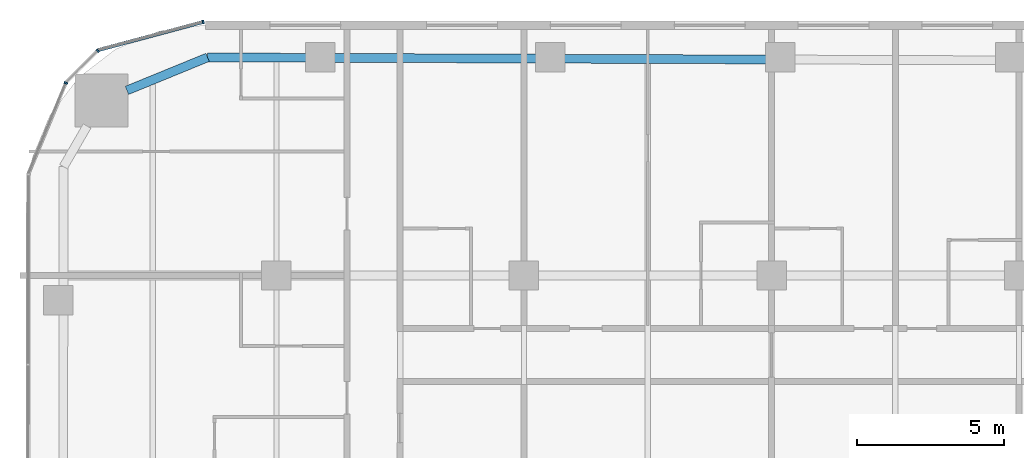
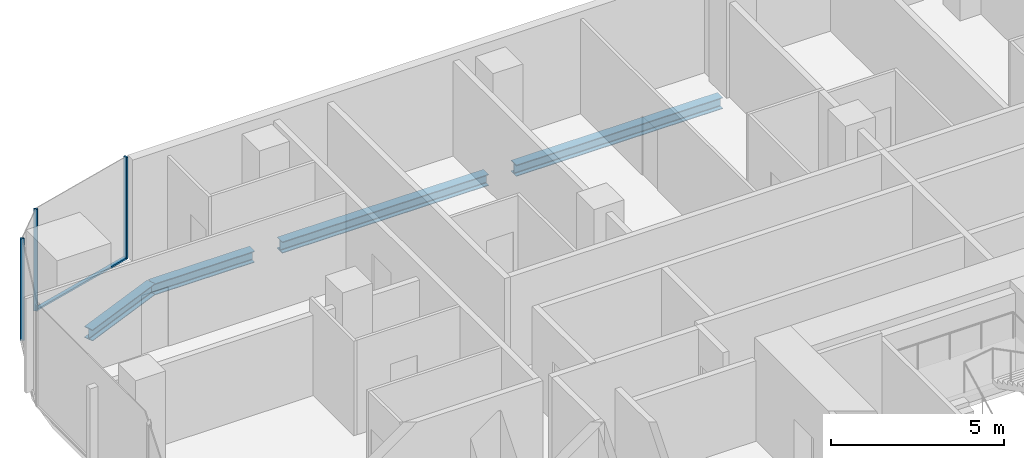
# One storey, part 11 of 27: 4 beams, 4 members, 3 elements without a shape of their own.
"""IFC4 building model written with IfcOpenShell, lengths in metres."""

from ifc_helpers import new_model, si_unit, direction, frame, origin, origin_2d, place, context, subcontext, project, spatial, rectangle, i_section, extrude, material, layer, layer_set, material_profile, profile_set, type_object, element, aggregate, save


model = new_model("IFC4")

# Units and contexts
model_context = context("Model", 3, precision=1e-05, world=origin(), true_north=direction((0.0, 1.0)))
body_context = subcontext(model_context, "Body", "Model", "MODEL_VIEW")
ifc_project = project(units=[si_unit("LENGTHUNIT", "METRE"), si_unit("AREAUNIT", "SQUARE_METRE"), si_unit("VOLUMEUNIT", "CUBIC_METRE"), si_unit("PLANEANGLEUNIT", "RADIAN"), si_unit("MASSUNIT", "GRAM", prefix="KILO")], contexts=[model_context])

# Site, building, storey
site_placement = place(None, origin())
site = spatial("IfcSite", under=ifc_project, at=site_placement, CompositionType="ELEMENT")
building_placement = place(site_placement, origin())
building = spatial("IfcBuilding", under=site, at=building_placement, Name="Marenta Gate Hotel Tower", CompositionType="ELEMENT")
storey_placement = place(building_placement, frame((0.0, 0.0, 36.5)))
storey = spatial("IfcBuildingStorey", under=building, at=storey_placement, Name="L06", CompositionType="ELEMENT", Elevation=36.5)

# Beams
ifc_material_1 = material(Name="Steel S355", Category="steel")
ifc_material_profile_1 = material_profile(ifc_material_1, i_section(OverallWidth=0.300048828125, OverallDepth=0.39990234375, WebThickness=0.013427734375, FlangeThickness=0.02392578125, FilletRadius=0.027099609375, at=origin_2d()), Name="HEB 400")
ifc_profile_set_1 = profile_set([ifc_material_profile_1], Name="Steel S355")
beam_type = type_object("IfcBeamType", Name="Edge beam HEB 400", PredefinedType="SPANDREL", material=ifc_profile_set_1)
beam_1_placement = place(storey_placement, frame((-26.072509765625, 31.47998046875, -0.35009765625), z_axis=(0.925545641603, 0.378636059177, 0.0), x_axis=(-0.378636059177, 0.925545641603, 0.0)))
element("IfcBeam", 1, at=beam_1_placement, inside=storey, type_object=beam_type, Name="L06-EB-12", PredefinedType="SPANDREL", context=body_context, shape_type="SweptSolid", body=[
    extrude(i_section(OverallWidth=0.300048828125, OverallDepth=0.39990234375, WebThickness=0.013427734375, FlangeThickness=0.02392578125, FilletRadius=0.027099609375, at=origin_2d()), origin(), (0.0, 0.0, 1.0), 2.958251953125),
])
beam_2_placement = place(storey_placement, frame((-23.33447265625, 32.60009765625, -0.35009765625), z_axis=(0.999992894549, -0.00376972818, 0.0), x_axis=(0.00376972818, 0.999992894549, 0.0)))
element("IfcBeam", 2, at=beam_2_placement, inside=storey, type_object=beam_type, Name="L06-EB-13", PredefinedType="SPANDREL", context=body_context, shape_type="SweptSolid", body=[
    extrude(i_section(OverallWidth=0.300048828125, OverallDepth=0.39990234375, WebThickness=0.013427734375, FlangeThickness=0.02392578125, FilletRadius=0.027099609375, at=origin_2d()), origin(), (0.0, 0.0, 1.0), 3.36767578125),
])
for number, where, z_axis, x_axis, name in (
    (3, (-19.046875, 32.583984375, -0.35009765625), (0.999993064268, -0.003724435008, 0.0), (0.003724435008, 0.999993064268, 0.0), "L06-EB-14"),
    (4, (-11.244140625, 32.554931640625, -0.35009765625), (0.999993064268, -0.003724435008, 0.0), (0.003724435008, 0.999993064268, 0.0), "L06-EB-15"),
):
    element("IfcBeam", number, at=place(storey_placement, frame(where, z_axis=z_axis, x_axis=x_axis)), inside=storey, type_object=beam_type, Name=name, PredefinedType="SPANDREL", context=body_context, shape_type="SweptSolid", body=[
        extrude(i_section(OverallWidth=0.300048828125, OverallDepth=0.39990234375, WebThickness=0.013427734375, FlangeThickness=0.02392578125, FilletRadius=0.027099609375, at=origin_2d()), origin(), (0.0, 0.0, 1.0), 6.8828125),
    ])

# Curtain wall, member
ifc_material_2 = material(Name="Tinted insulated glass in bronze anodised frame", Category="glass")
ifc_layer = layer(ifc_material_2, 0.1201171875)
ifc_layer_set = layer_set([ifc_layer], Name="Tinted insulated glass in bronze anodised frame")
curtain_wall_type = type_object("IfcCurtainWallType", Name="Tower unitised curtain wall CW1", PredefinedType="NOTDEFINED", material=ifc_layer_set)
curtain_wall_1_placement = place(storey_placement, origin())
curtain_wall_1 = element("IfcCurtainWall", 5, at=curtain_wall_1_placement, inside=storey, type_object=curtain_wall_type, Name="CW1 run G00", PredefinedType="NOTDEFINED")
ifc_material_3 = material(Name="Bronze anodised aluminium", Category="aluminium")
ifc_material_profile_2 = material_profile(ifc_material_3, rectangle(XDim=0.1201171875, YDim=0.06005859375, at=origin_2d()), Name="Mullion CW1 60x120 bronze anodised aluminium")
ifc_profile_set_2 = profile_set([ifc_material_profile_2], Name="Bronze anodised aluminium")
member_type_1 = type_object("IfcMemberType", Name="Mullion CW1 60x120 bronze anodised aluminium", PredefinedType="MULLION", material=ifc_profile_set_2)
member_1_placement = place(storey_placement, frame((-23.485595703125, 33.80322265625, 0.0), z_axis=(0.0, 0.0, 1.0), x_axis=(0.258801657317, -0.965930485164, 0.0)))
member_1 = element("IfcMember", 6, at=member_1_placement, type_object=member_type_1, Name="CW1 mullion 1", PredefinedType="MULLION", context=body_context, shape_type="SweptSolid", body=[
    extrude(rectangle(XDim=0.1201171875, YDim=0.06005859375, at=origin_2d()), origin(), (0.0, 0.0, 1.0), 3.60009765625),
])

curtain_wall_2_placement = place(storey_placement, origin())
curtain_wall_2 = element("IfcCurtainWall", 7, at=curtain_wall_2_placement, inside=storey, type_object=curtain_wall_type, Name="CW1 run G01", PredefinedType="NOTDEFINED")
member_2_placement = place(storey_placement, frame((-27.06103515625, 32.82958984375, 0.0), z_axis=(0.0, 0.0, 1.0), x_axis=(0.707106781187, -0.707106781187, 0.0)))
member_2 = element("IfcMember", 8, at=member_2_placement, type_object=member_type_1, Name="CW1 mullion 1", PredefinedType="MULLION", context=body_context, shape_type="SweptSolid", body=[
    extrude(rectangle(XDim=0.1201171875, YDim=0.06005859375, at=origin_2d()), origin(), (0.0, 0.0, 1.0), 3.60009765625),
])
aggregate(curtain_wall_2, [member_2])

curtain_wall_3_placement = place(storey_placement, origin())
curtain_wall_3 = element("IfcCurtainWall", 9, at=curtain_wall_3_placement, inside=storey, type_object=curtain_wall_type, Name="CW1 run G02", PredefinedType="NOTDEFINED")
member_3_placement = place(storey_placement, frame((-28.142333984375, 31.732177734375, 0.0), z_axis=(0.0, 0.0, 1.0), x_axis=(0.923885075314, -0.382670050581, 0.0)))
member_3 = element("IfcMember", 10, at=member_3_placement, type_object=member_type_1, Name="CW1 mullion 1", PredefinedType="MULLION", context=body_context, shape_type="SweptSolid", body=[
    extrude(rectangle(XDim=0.1201171875, YDim=0.06005859375, at=origin_2d()), origin(), (0.0, 0.0, 1.0), 3.60009765625),
])
aggregate(curtain_wall_3, [member_3])

# Member
ifc_material_4 = material(Name="Bronze anodised aluminium", Category="aluminium")
ifc_material_profile_3 = material_profile(ifc_material_4, rectangle(XDim=0.1201171875, YDim=0.06005859375, at=origin_2d()), Name="Transom CW1 60x120 bronze anodised aluminium")
ifc_profile_set_3 = profile_set([ifc_material_profile_3], Name="Bronze anodised aluminium")
member_type_2 = type_object("IfcMemberType", Name="Transom CW1 60x120 bronze anodised aluminium", PredefinedType="USERDEFINED", material=ifc_profile_set_3)
member_4_placement = place(storey_placement, frame((-23.514404296875, 33.79541015625, 0.030029296875), z_axis=(-0.965928942389, -0.258807415381, 0.0), x_axis=(0.258807415381, -0.965928942389, 0.0)))
member_4 = element("IfcMember", 11, at=member_4_placement, type_object=member_type_2, Name="CW1 transom 1.1", ObjectType="TRANSOM", PredefinedType="USERDEFINED", context=body_context, shape_type="SweptSolid", body=[
    extrude(rectangle(XDim=0.1201171875, YDim=0.06005859375, at=origin_2d()), origin(), (0.0, 0.0, 1.0), 3.649658203125),
])

aggregate(curtain_wall_1, [member_1, member_4])

save(model, "model.ifc")
